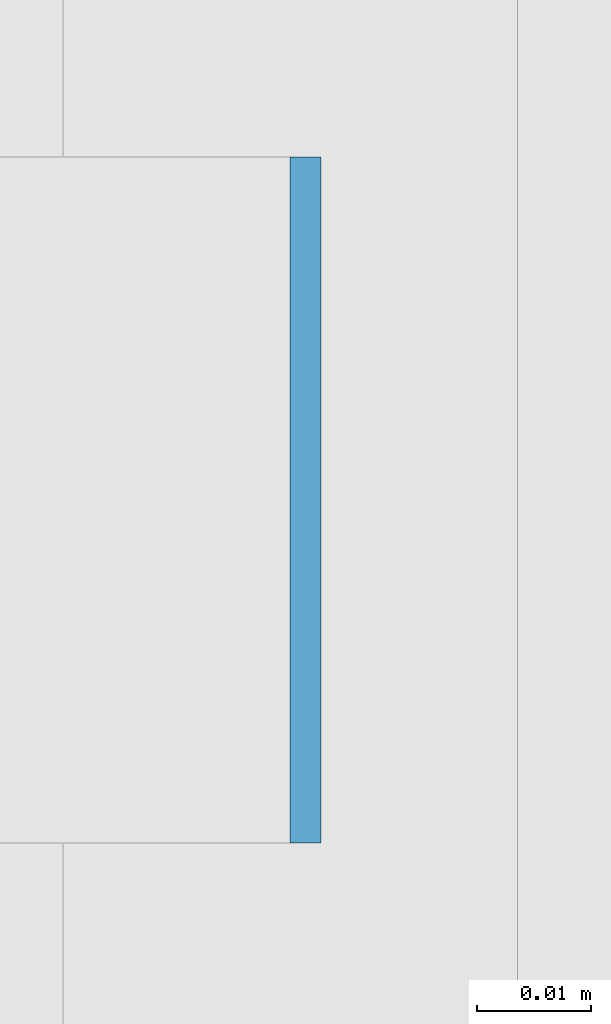
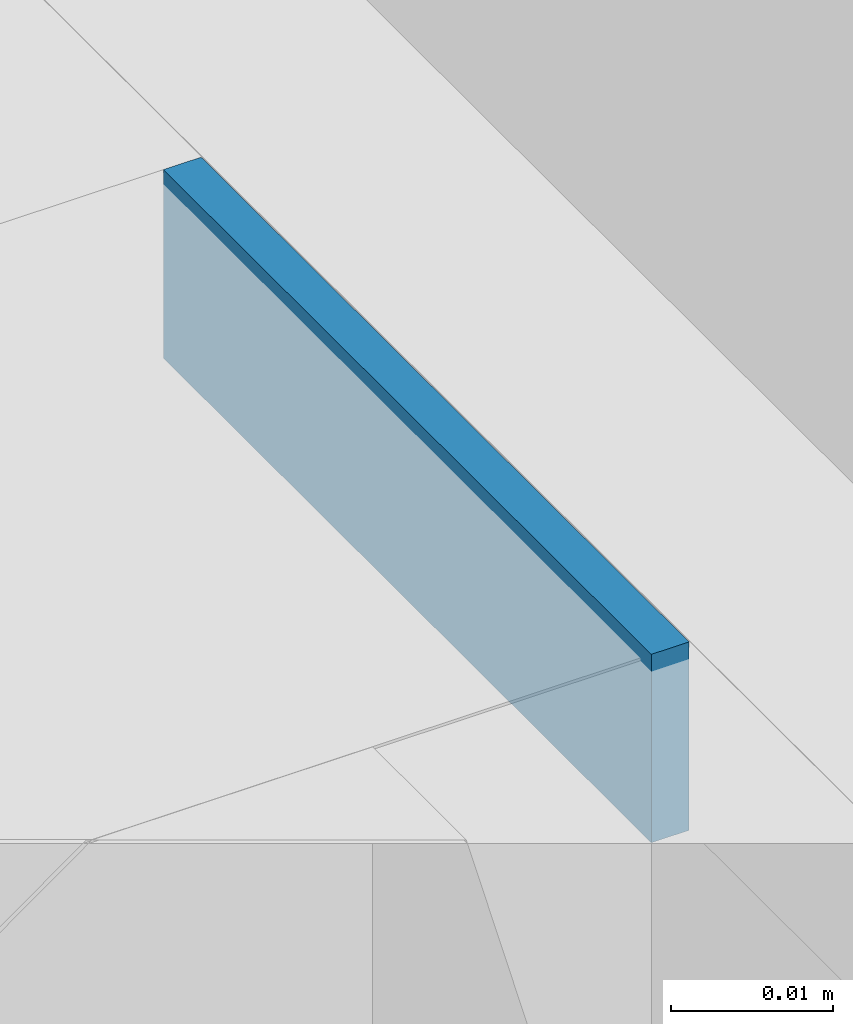
# One storey, part 399 of 646: 1 discrete accessory.
"""IFC4 building model written with IfcOpenShell, lengths in metres."""

from ifc_helpers import new_model, si_unit, direction, frame, origin, origin_2d, place, context, subcontext, project, spatial, rectangle, extrude, material, type_object, element, save


model = new_model("IFC4")

# Units and contexts
model_context = context("Model", 3, precision=1e-05, world=origin(), true_north=direction((0.0, 1.0)))
body_context = subcontext(model_context, "Body", "Model", "MODEL_VIEW")
ifc_project = project(units=[si_unit("LENGTHUNIT", "METRE"), si_unit("AREAUNIT", "SQUARE_METRE"), si_unit("VOLUMEUNIT", "CUBIC_METRE"), si_unit("PLANEANGLEUNIT", "RADIAN"), si_unit("MASSUNIT", "GRAM", prefix="KILO")], contexts=[model_context])

# Site, building, storey
site_placement = place(None, origin())
site = spatial("IfcSite", under=ifc_project, at=site_placement, CompositionType="ELEMENT")
building_placement = place(site_placement, origin())
building = spatial("IfcBuilding", under=site, at=building_placement, Name="Silverbay Arena", CompositionType="ELEMENT")
storey_placement = place(building_placement, frame((0.0, 0.0, 33.5)))
storey = spatial("IfcBuildingStorey", under=building, at=storey_placement, Name="L05", CompositionType="ELEMENT", Elevation=33.5)

# Discrete accessory
ifc_material = material(Name="Steel S355", Category="steel")
discrete_accessory_type = type_object("IfcDiscreteAccessoryType", Name="Steel bracket plate", PredefinedType="BRACKET", material=ifc_material)
discrete_accessory_placement = place(storey_placement, frame((53.871337890625, 118.28564453125, 12.98583984375), z_axis=(0.0, 0.0, 1.0), x_axis=(1.0, 0.0, 0.0)))
element("IfcDiscreteAccessory", 1, at=discrete_accessory_placement, inside=storey, type_object=discrete_accessory_type, Name="Curtain wall packing plate", PredefinedType="BRACKET", context=body_context, shape_type="SweptSolid", body=[
    extrude(rectangle(XDim=0.002685546875, YDim=0.06005859375, at=origin_2d()), origin(), (0.0, 0.0, 1.0), 0.01416015625),
])

save(model, "model.ifc")
